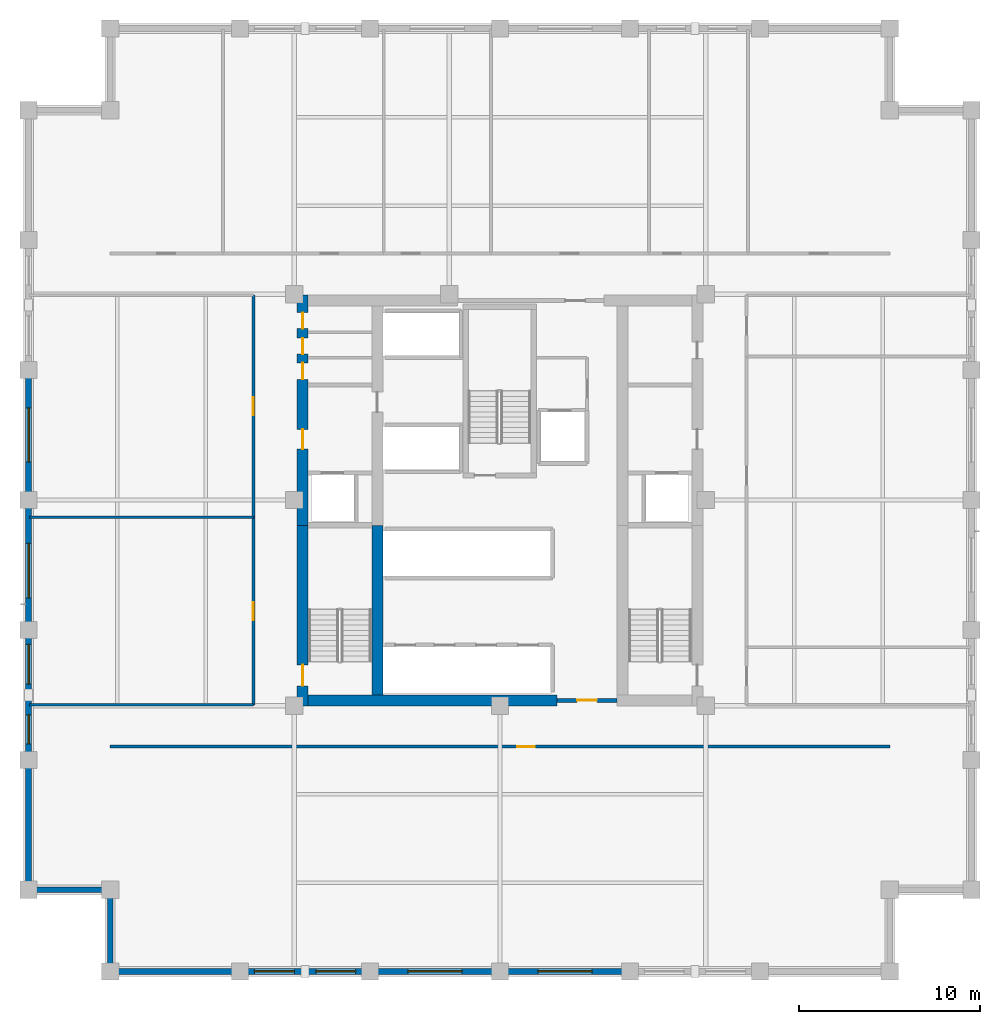
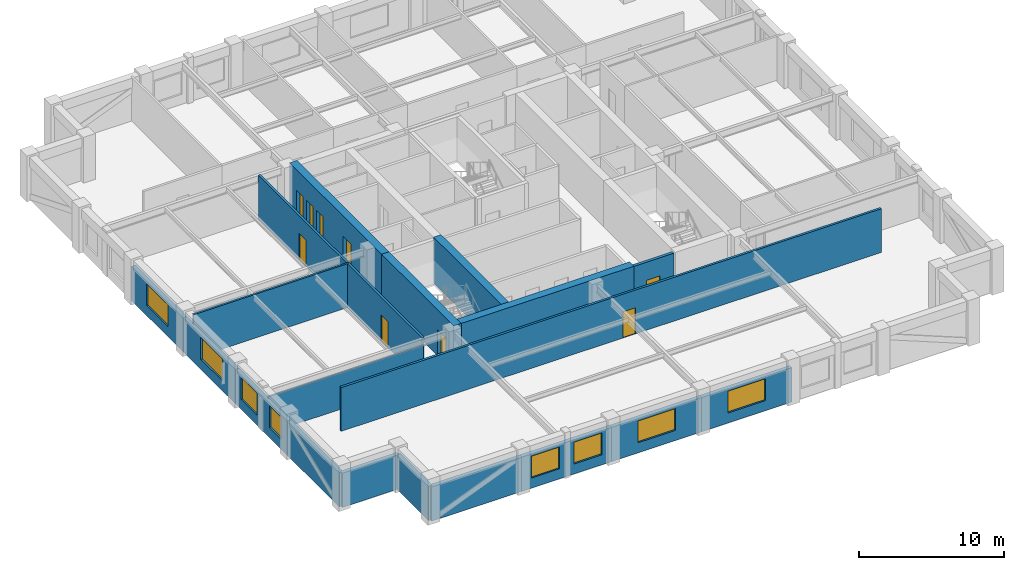
# One storey, part 5 of 9: 20 walls, 9 doors, 8 windows, 17 openings.
"""IFC4 building model written with IfcOpenShell, lengths in metres."""

from ifc_helpers import new_model, si_unit, direction, frame, frame_2d, origin, place, context, subcontext, project, spatial, rectangle, extrude, material, layer, layer_set, type_object, element, fill, save


model = new_model("IFC4")

# Units and contexts
model_context = context("Model", 3, precision=1e-05, world=origin(), true_north=direction((0.0, 1.0)))
body_context = subcontext(model_context, "Body", "Model", "MODEL_VIEW")
ifc_project = project(units=[si_unit("LENGTHUNIT", "METRE"), si_unit("AREAUNIT", "SQUARE_METRE"), si_unit("VOLUMEUNIT", "CUBIC_METRE"), si_unit("PLANEANGLEUNIT", "RADIAN"), si_unit("MASSUNIT", "GRAM", prefix="KILO")], contexts=[model_context])

# Site, building, storey
site_placement = place(None, origin())
site = spatial("IfcSite", under=ifc_project, at=site_placement, CompositionType="ELEMENT")
building_placement = place(site_placement, origin())
building = spatial("IfcBuilding", under=site, at=building_placement, Name="Nhamokura Convention Tower", CompositionType="ELEMENT")
storey_placement = place(building_placement, frame((0.0, 0.0, 118.300048828125)))
storey = spatial("IfcBuildingStorey", under=building, at=storey_placement, Name="L28", CompositionType="ELEMENT", Elevation=118.300048828125)

# Wall
ifc_material_1 = material(Name="Bronze-pigmented precast concrete C45/55", Category="concrete")
ifc_layer_1 = layer(ifc_material_1, 0.320068359375)
ifc_layer_set_1 = layer_set([ifc_layer_1], Name="BronzePrecastSpandrel_320")
wall_type_1 = type_object("IfcWallType", Name="BronzePrecastSpandrel_320", PredefinedType="USERDEFINED", material=ifc_layer_set_1)
wall_1_placement = place(storey_placement, frame((17.666748046875, 6.0, 0.0), z_axis=(0.0, 0.0, 1.0), x_axis=(-1.0, 0.0, 0.0)))
element("IfcWall", 1, at=wall_1_placement, inside=storey, type_object=wall_type_1, Name="L28 Braced-Bay Precast Wall SOUTH 0", ObjectType="SPANDREL_WALL", PredefinedType="USERDEFINED", context=body_context, shape_type="SweptSolid", body=[
    extrude(rectangle(XDim=7.166748046875, YDim=0.320068359375, at=frame_2d((3.58349609375, 0.0))), origin(), (0.0, 0.0, 1.0), 2.885009765625),
])

# Wall, openings, windows
wall_2_placement = place(storey_placement, frame((24.833251953125, 6.0, 0.0), z_axis=(0.0, 0.0, 1.0), x_axis=(-1.0, 0.0, 0.0)))
wall_2 = element("IfcWall", 2, at=wall_2_placement, inside=storey, type_object=wall_type_1, Name="L28 Masonry-Frame Wall SOUTH 1", ObjectType="SPANDREL_WALL", PredefinedType="USERDEFINED", context=body_context, shape_type="SweptSolid", body=[
    extrude(rectangle(XDim=7.16650390625, YDim=0.320068359375, at=frame_2d((3.583251953125, 0.0))), origin(), (0.0, 0.0, 1.0), 2.885009765625),
])
opening_1_placement = place(wall_2_placement, frame((0.791748046875, 0.0, 0.85009765625)))
opening_1 = element("IfcOpeningElement", 3, at=opening_1_placement, cuts=wall_2, Name="Opening W-06", PredefinedType="OPENING", context=body_context, shape_type="SweptSolid", body=[
    extrude(rectangle(XDim=2.199951171875, YDim=1.8349609375, at=frame_2d((1.10009765625, 0.91748046875))), frame((0.0, 0.169921875, 0.0), z_axis=(0.0, -1.0, 0.0), x_axis=(1.0, 0.0, 0.0)), (0.0, 0.0, 1.0), 0.340087890625),
])
opening_2_placement = place(wall_2_placement, frame((4.175048828125, 0.0, 0.85009765625)))
opening_2 = element("IfcOpeningElement", 4, at=opening_2_placement, cuts=wall_2, Name="Opening W-06", PredefinedType="OPENING", context=body_context, shape_type="SweptSolid", body=[
    extrude(rectangle(XDim=2.199951171875, YDim=1.8349609375, at=frame_2d((1.10009765625, 0.91748046875))), frame((0.0, 0.169921875, 0.0), z_axis=(0.0, -1.0, 0.0), x_axis=(1.0, 0.0, 0.0)), (0.0, 0.0, 1.0), 0.340087890625),
])
ifc_material_2 = material(Name="Solar-control bronze low-E double glass", Category="glass")
window_type_1 = type_object("IfcWindowType", Name="OfficeModuleWindow_Z2_2200", PartitioningType="SINGLE_PANEL", PredefinedType="WINDOW", material=ifc_material_2)
window_1_placement = place(opening_1_placement, origin())
window_1 = element("IfcWindow", 5, at=window_1_placement, inside=storey, type_object=window_type_1, Name="L28 Facade Window SOUTH 1-1", OverallHeight=1.8349609375, OverallWidth=2.199951171875, PartitioningType="SINGLE_PANEL", PredefinedType="WINDOW", context=body_context, shape_type="SweptSolid", body=[
    extrude(rectangle(XDim=2.199951171875, YDim=1.8349609375, at=frame_2d((1.10009765625, 0.91748046875))), frame((0.0, 0.030029296875, 0.0), z_axis=(0.0, -1.0, 0.0), x_axis=(1.0, 0.0, 0.0)), (0.0, 0.0, 1.0), 0.06005859375),
])
fill(opening_1, window_1)
window_2_placement = place(opening_2_placement, origin())
window_2 = element("IfcWindow", 6, at=window_2_placement, inside=storey, type_object=window_type_1, Name="L28 Facade Window SOUTH 1-2", OverallHeight=1.8349609375, OverallWidth=2.199951171875, PartitioningType="SINGLE_PANEL", PredefinedType="WINDOW", context=body_context, shape_type="SweptSolid", body=[
    extrude(rectangle(XDim=2.199951171875, YDim=1.8349609375, at=frame_2d((1.10009765625, 0.91748046875))), frame((0.0, 0.030029296875, 0.0), z_axis=(0.0, -1.0, 0.0), x_axis=(1.0, 0.0, 0.0)), (0.0, 0.0, 1.0), 0.06005859375),
])
fill(opening_2, window_2)

# Wall, opening, window
wall_3_placement = place(storey_placement, frame((32.0, 6.0, 0.0), z_axis=(0.0, 0.0, 1.0), x_axis=(-1.0, 0.0, 0.0)))
wall_3 = element("IfcWall", 7, at=wall_3_placement, inside=storey, type_object=wall_type_1, Name="L28 Masonry-Frame Wall SOUTH 2", ObjectType="SPANDREL_WALL", PredefinedType="USERDEFINED", context=body_context, shape_type="SweptSolid", body=[
    extrude(rectangle(XDim=7.166748046875, YDim=0.320068359375, at=frame_2d((3.58349609375, 0.0))), origin(), (0.0, 0.0, 1.0), 2.885009765625),
])
opening_3_placement = place(wall_3_placement, frame((2.083251953125, 0.0, 0.85009765625)))
opening_3 = element("IfcOpeningElement", 8, at=opening_3_placement, cuts=wall_3, Name="Opening W-05", PredefinedType="OPENING", context=body_context, shape_type="SweptSolid", body=[
    extrude(rectangle(XDim=3.0, YDim=1.8349609375, at=frame_2d((1.5, 0.91748046875))), frame((0.0, 0.169921875, 0.0), z_axis=(0.0, -1.0, 0.0), x_axis=(1.0, 0.0, 0.0)), (0.0, 0.0, 1.0), 0.340087890625),
])
ifc_material_3 = material(Name="Solar-control bronze low-E double glass", Category="glass")
window_type_2 = type_object("IfcWindowType", Name="OfficeModuleWindow_Z2_3000", PartitioningType="DOUBLE_PANEL_VERTICAL", PredefinedType="WINDOW", material=ifc_material_3)
window_3_placement = place(opening_3_placement, origin())
window_3 = element("IfcWindow", 9, at=window_3_placement, inside=storey, type_object=window_type_2, Name="L28 Facade Window SOUTH 2", OverallHeight=1.8349609375, OverallWidth=3.0, PartitioningType="SINGLE_PANEL", PredefinedType="WINDOW", context=body_context, shape_type="SweptSolid", body=[
    extrude(rectangle(XDim=3.0, YDim=1.8349609375, at=frame_2d((1.5, 0.91748046875))), frame((0.0, 0.030029296875, 0.0), z_axis=(0.0, -1.0, 0.0), x_axis=(1.0, 0.0, 0.0)), (0.0, 0.0, 1.0), 0.06005859375),
])
fill(opening_3, window_3)

wall_4_placement = place(storey_placement, frame((39.166748046875, 6.0, 0.0), z_axis=(0.0, 0.0, 1.0), x_axis=(-1.0, 0.0, 0.0)))
wall_4 = element("IfcWall", 10, at=wall_4_placement, inside=storey, type_object=wall_type_1, Name="L28 Masonry-Frame Wall SOUTH 3", ObjectType="SPANDREL_WALL", PredefinedType="USERDEFINED", context=body_context, shape_type="SweptSolid", body=[
    extrude(rectangle(XDim=7.166748046875, YDim=0.320068359375, at=frame_2d((3.58349609375, 0.0))), origin(), (0.0, 0.0, 1.0), 2.885009765625),
])
opening_4_placement = place(wall_4_placement, frame((2.083251953125, 0.0, 0.85009765625)))
opening_4 = element("IfcOpeningElement", 11, at=opening_4_placement, cuts=wall_4, Name="Opening W-05", PredefinedType="OPENING", context=body_context, shape_type="SweptSolid", body=[
    extrude(rectangle(XDim=3.0, YDim=1.8349609375, at=frame_2d((1.5, 0.91748046875))), frame((0.0, 0.169921875, 0.0), z_axis=(0.0, -1.0, 0.0), x_axis=(1.0, 0.0, 0.0)), (0.0, 0.0, 1.0), 0.340087890625),
])
window_4_placement = place(opening_4_placement, origin())
window_4 = element("IfcWindow", 12, at=window_4_placement, inside=storey, type_object=window_type_2, Name="L28 Facade Window SOUTH 3", OverallHeight=1.8349609375, OverallWidth=3.0, PartitioningType="SINGLE_PANEL", PredefinedType="WINDOW", context=body_context, shape_type="SweptSolid", body=[
    extrude(rectangle(XDim=3.0, YDim=1.8349609375, at=frame_2d((1.5, 0.91748046875))), frame((0.0, 0.030029296875, 0.0), z_axis=(0.0, -1.0, 0.0), x_axis=(1.0, 0.0, 0.0)), (0.0, 0.0, 1.0), 0.06005859375),
])
fill(opening_4, window_4)

# Wall
wall_5_placement = place(storey_placement, frame((6.0, 10.5, 0.0), z_axis=(0.0, 0.0, 1.0), x_axis=(0.0, 1.0, 0.0)))
element("IfcWall", 13, at=wall_5_placement, inside=storey, type_object=wall_type_1, Name="L28 Braced-Bay Precast Wall WEST 0", ObjectType="SPANDREL_WALL", PredefinedType="USERDEFINED", context=body_context, shape_type="SweptSolid", body=[
    extrude(rectangle(XDim=7.166748046875, YDim=0.320068359375, at=frame_2d((3.58349609375, 0.0))), origin(), (0.0, 0.0, 1.0), 2.885009765625),
])

# Wall, openings, windows
wall_6_placement = place(storey_placement, frame((6.0, 17.666748046875, 0.0), z_axis=(0.0, 0.0, 1.0), x_axis=(0.0, 1.0, 0.0)))
wall_6 = element("IfcWall", 14, at=wall_6_placement, inside=storey, type_object=wall_type_1, Name="L28 Masonry-Frame Wall WEST 1", ObjectType="SPANDREL_WALL", PredefinedType="USERDEFINED", context=body_context, shape_type="SweptSolid", body=[
    extrude(rectangle(XDim=7.16650390625, YDim=0.320068359375, at=frame_2d((3.583251953125, 0.0))), origin(), (0.0, 0.0, 1.0), 2.885009765625),
])
opening_5_placement = place(wall_6_placement, frame((0.879150390625, 0.0, 0.85009765625)))
opening_5 = element("IfcOpeningElement", 15, at=opening_5_placement, cuts=wall_6, Name="Opening W-11", PredefinedType="OPENING", context=body_context, shape_type="SweptSolid", body=[
    extrude(rectangle(XDim=1.60009765625, YDim=1.8349609375, at=frame_2d((0.800048828125, 0.91748046875))), frame((0.0, 0.169921875, 0.0), z_axis=(0.0, -1.0, 0.0), x_axis=(1.0, 0.0, 0.0)), (0.0, 0.0, 1.0), 0.340087890625),
])
opening_6_placement = place(wall_6_placement, frame((4.175048828125, 0.0, 0.85009765625)))
opening_6 = element("IfcOpeningElement", 16, at=opening_6_placement, cuts=wall_6, Name="Opening W-06", PredefinedType="OPENING", context=body_context, shape_type="SweptSolid", body=[
    extrude(rectangle(XDim=2.199951171875, YDim=1.8349609375, at=frame_2d((1.10009765625, 0.91748046875))), frame((0.0, 0.169921875, 0.0), z_axis=(0.0, -1.0, 0.0), x_axis=(1.0, 0.0, 0.0)), (0.0, 0.0, 1.0), 0.340087890625),
])
ifc_material_4 = material(Name="Solar-control bronze low-E double glass", Category="glass")
window_type_3 = type_object("IfcWindowType", Name="NotchCornerWindow_1600", PartitioningType="SINGLE_PANEL", PredefinedType="WINDOW", material=ifc_material_4)
window_5_placement = place(opening_5_placement, origin())
window_5 = element("IfcWindow", 17, at=window_5_placement, inside=storey, type_object=window_type_3, Name="L28 Facade Window WEST 1-1", OverallHeight=1.8349609375, OverallWidth=1.60009765625, PartitioningType="SINGLE_PANEL", PredefinedType="WINDOW", context=body_context, shape_type="SweptSolid", body=[
    extrude(rectangle(XDim=1.60009765625, YDim=1.8349609375, at=frame_2d((0.800048828125, 0.91748046875))), frame((0.0, 0.030029296875, 0.0), z_axis=(0.0, -1.0, 0.0), x_axis=(1.0, 0.0, 0.0)), (0.0, 0.0, 1.0), 0.06005859375),
])
fill(opening_5, window_5)
window_6_placement = place(opening_6_placement, origin())
window_6 = element("IfcWindow", 18, at=window_6_placement, inside=storey, type_object=window_type_1, Name="L28 Facade Window WEST 1-2", OverallHeight=1.8349609375, OverallWidth=2.199951171875, PartitioningType="SINGLE_PANEL", PredefinedType="WINDOW", context=body_context, shape_type="SweptSolid", body=[
    extrude(rectangle(XDim=2.199951171875, YDim=1.8349609375, at=frame_2d((1.10009765625, 0.91748046875))), frame((0.0, 0.030029296875, 0.0), z_axis=(0.0, -1.0, 0.0), x_axis=(1.0, 0.0, 0.0)), (0.0, 0.0, 1.0), 0.06005859375),
])
fill(opening_6, window_6)

# Wall, opening, window
wall_7_placement = place(storey_placement, frame((6.0, 24.833251953125, 0.0), z_axis=(0.0, 0.0, 1.0), x_axis=(0.0, 1.0, 0.0)))
wall_7 = element("IfcWall", 19, at=wall_7_placement, inside=storey, type_object=wall_type_1, Name="L28 Masonry-Frame Wall WEST 2", ObjectType="SPANDREL_WALL", PredefinedType="USERDEFINED", context=body_context, shape_type="SweptSolid", body=[
    extrude(rectangle(XDim=7.166748046875, YDim=0.320068359375, at=frame_2d((3.58349609375, 0.0))), origin(), (0.0, 0.0, 1.0), 2.885009765625),
])
opening_7_placement = place(wall_7_placement, frame((1.770751953125, 0.0, 0.85009765625)))
opening_7 = element("IfcOpeningElement", 20, at=opening_7_placement, cuts=wall_7, Name="Opening W-05", PredefinedType="OPENING", context=body_context, shape_type="SweptSolid", body=[
    extrude(rectangle(XDim=3.0, YDim=1.8349609375, at=frame_2d((1.5, 0.91748046875))), frame((0.0, 0.169921875, 0.0), z_axis=(0.0, -1.0, 0.0), x_axis=(1.0, 0.0, 0.0)), (0.0, 0.0, 1.0), 0.340087890625),
])
window_7_placement = place(opening_7_placement, origin())
window_7 = element("IfcWindow", 21, at=window_7_placement, inside=storey, type_object=window_type_2, Name="L28 Facade Window WEST 2", OverallHeight=1.8349609375, OverallWidth=3.0, PartitioningType="SINGLE_PANEL", PredefinedType="WINDOW", context=body_context, shape_type="SweptSolid", body=[
    extrude(rectangle(XDim=3.0, YDim=1.8349609375, at=frame_2d((1.5, 0.91748046875))), frame((0.0, 0.030029296875, 0.0), z_axis=(0.0, -1.0, 0.0), x_axis=(1.0, 0.0, 0.0)), (0.0, 0.0, 1.0), 0.06005859375),
])
fill(opening_7, window_7)

wall_8_placement = place(storey_placement, frame((6.0, 32.0, 0.0), z_axis=(0.0, 0.0, 1.0), x_axis=(0.0, 1.0, 0.0)))
wall_8 = element("IfcWall", 22, at=wall_8_placement, inside=storey, type_object=wall_type_1, Name="L28 Masonry-Frame Wall WEST 3", ObjectType="SPANDREL_WALL", PredefinedType="USERDEFINED", context=body_context, shape_type="SweptSolid", body=[
    extrude(rectangle(XDim=7.166748046875, YDim=0.320068359375, at=frame_2d((3.58349609375, 0.0))), origin(), (0.0, 0.0, 1.0), 2.885009765625),
])
opening_8_placement = place(wall_8_placement, frame((2.083251953125, 0.0, 0.85009765625)))
opening_8 = element("IfcOpeningElement", 23, at=opening_8_placement, cuts=wall_8, Name="Opening W-05", PredefinedType="OPENING", context=body_context, shape_type="SweptSolid", body=[
    extrude(rectangle(XDim=3.0, YDim=1.8349609375, at=frame_2d((1.5, 0.91748046875))), frame((0.0, 0.169921875, 0.0), z_axis=(0.0, -1.0, 0.0), x_axis=(1.0, 0.0, 0.0)), (0.0, 0.0, 1.0), 0.340087890625),
])
window_8_placement = place(opening_8_placement, origin())
window_8 = element("IfcWindow", 24, at=window_8_placement, inside=storey, type_object=window_type_2, Name="L28 Facade Window WEST 3", OverallHeight=1.8349609375, OverallWidth=3.0, PartitioningType="SINGLE_PANEL", PredefinedType="WINDOW", context=body_context, shape_type="SweptSolid", body=[
    extrude(rectangle(XDim=3.0, YDim=1.8349609375, at=frame_2d((1.5, 0.91748046875))), frame((0.0, 0.030029296875, 0.0), z_axis=(0.0, -1.0, 0.0), x_axis=(1.0, 0.0, 0.0)), (0.0, 0.0, 1.0), 0.06005859375),
])
fill(opening_8, window_8)

# Walls
for number, where, z_axis, x_axis, name in (
    (25, (10.5, 6.0, 0.0), (0.0, 0.0, 1.0), (0.0, 1.0, 0.0), "L28 Notched Corner Wall SW1"),
    (26, (10.5, 10.5, 0.0), (0.0, 0.0, 1.0), (-1.0, 0.0, 0.0), "L28 Notched Corner Wall SW2"),
):
    element("IfcWall", number, at=place(storey_placement, frame(where, z_axis=z_axis, x_axis=x_axis)), inside=storey, type_object=wall_type_1, Name=name, ObjectType="SPANDREL_WALL", PredefinedType="USERDEFINED", context=body_context, shape_type="SweptSolid", body=[
        extrude(rectangle(XDim=4.5, YDim=0.320068359375, at=frame_2d((2.25, 0.0))), origin(), (0.0, 0.0, 1.0), 2.885009765625),
    ])

# Wall, opening, door
ifc_material_5 = material(Name="Concrete C60/75", Category="concrete")
ifc_layer_2 = layer(ifc_material_5, 0.60009765625)
ifc_layer_set_2 = layer_set([ifc_layer_2], Name="CoreShearWall_600")
wall_type_2 = type_object("IfcWallType", Name="CoreShearWall_600", PredefinedType="SHEAR", material=ifc_layer_set_2)
wall_9_placement = place(storey_placement, frame((21.110107421875, 20.64990234375, 0.0), z_axis=(0.0, 0.0, 1.0), x_axis=(0.0, 1.0, 0.0)))
wall_9 = element("IfcWall", 27, at=wall_9_placement, inside=storey, type_object=wall_type_2, Name="L28 Core Shear Wall CW-WS", PredefinedType="SHEAR", context=body_context, shape_type="SweptSolid", body=[
    extrude(rectangle(XDim=9.9501953125, YDim=0.60009765625, at=frame_2d((4.97509765625, 0.0))), origin(), (0.0, 0.0, 1.0), 3.849853515625),
])
opening_9_placement = place(wall_9_placement, frame((1.10009765625, 0.0, 0.0)))
opening_9 = element("IfcOpeningElement", 28, at=opening_9_placement, cuts=wall_9, Name="Opening D-04", PredefinedType="OPENING", context=body_context, shape_type="SweptSolid", body=[
    extrude(rectangle(XDim=1.14990234375, YDim=2.14990234375, at=frame_2d((0.574951171875, 1.074951171875))), frame((0.0, 0.31005859375, 0.0), z_axis=(0.0, -1.0, 0.0), x_axis=(1.0, 0.0, 0.0)), (0.0, 0.0, 1.0), 0.6201171875),
])
ifc_material_6 = material(Name="Fire-rated steel door", Category="steel")
door_type_1 = type_object("IfcDoorType", Name="StairSmokeDoor_1150", OperationType="NOTDEFINED", PredefinedType="DOOR", material=ifc_material_6)
door_1_placement = place(opening_9_placement, origin())
door_1 = element("IfcDoor", 29, at=door_1_placement, inside=storey, type_object=door_type_1, Name="L28 Core Door INT-L28-D-ST01", OperationType="SINGLE_SWING_LEFT", OverallHeight=2.14990234375, OverallWidth=1.14990234375, PredefinedType="DOOR", context=body_context, shape_type="SweptSolid", body=[
    extrude(rectangle(XDim=1.14990234375, YDim=2.14990234375, at=frame_2d((0.574951171875, 1.074951171875))), frame((0.0, 0.02490234375, 0.0), z_axis=(0.0, -1.0, 0.0), x_axis=(1.0, 0.0, 0.0)), (0.0, 0.0, 1.0), 0.050048828125),
])
fill(opening_9, door_1)

# Wall, openings, doors
wall_10_placement = place(storey_placement, frame((21.110107421875, 30.60009765625, 0.0), z_axis=(0.0, 0.0, 1.0), x_axis=(0.0, 1.0, 0.0)))
wall_10 = element("IfcWall", 30, at=wall_10_placement, inside=storey, type_object=wall_type_2, Name="L28 Core Shear Wall CW-WN", PredefinedType="SHEAR", context=body_context, shape_type="SweptSolid", body=[
    extrude(rectangle(XDim=12.699951171875, YDim=0.60009765625, at=frame_2d((6.35009765625, 0.0))), origin(), (0.0, 0.0, 1.0), 3.849853515625),
])
opening_10_placement = place(wall_10_placement, frame((4.199951171875, 0.0, 0.0)))
opening_10 = element("IfcOpeningElement", 31, at=opening_10_placement, cuts=wall_10, Name="Opening D-05", PredefinedType="OPENING", context=body_context, shape_type="SweptSolid", body=[
    extrude(rectangle(XDim=1.10009765625, YDim=2.14990234375, at=frame_2d((0.550048828125, 1.074951171875))), frame((0.0, 0.31005859375, 0.0), z_axis=(0.0, -1.0, 0.0), x_axis=(1.0, 0.0, 0.0)), (0.0, 0.0, 1.0), 0.6201171875),
])
opening_11_placement = place(wall_10_placement, frame((8.050048828125, 0.0, 0.0)))
opening_11 = element("IfcOpeningElement", 32, at=opening_11_placement, cuts=wall_10, Name="Opening D-10", PredefinedType="OPENING", context=body_context, shape_type="SweptSolid", body=[
    extrude(rectangle(XDim=0.919921875, YDim=2.10009765625, at=frame_2d((0.4599609375, 1.050048828125))), frame((0.0, 0.31005859375, 0.0), z_axis=(0.0, -1.0, 0.0), x_axis=(1.0, 0.0, 0.0)), (0.0, 0.0, 1.0), 0.6201171875),
])
opening_12_placement = place(wall_10_placement, frame((9.449951171875, 0.0, 0.0)))
opening_12 = element("IfcOpeningElement", 33, at=opening_12_placement, cuts=wall_10, Name="Opening D-11", PredefinedType="OPENING", context=body_context, shape_type="SweptSolid", body=[
    extrude(rectangle(XDim=0.8798828125, YDim=2.10009765625, at=frame_2d((0.43994140625, 1.050048828125))), frame((0.0, 0.31005859375, 0.0), z_axis=(0.0, -1.0, 0.0), x_axis=(1.0, 0.0, 0.0)), (0.0, 0.0, 1.0), 0.6201171875),
])
opening_13_placement = place(wall_10_placement, frame((10.85009765625, 0.0, 0.0)))
opening_13 = element("IfcOpeningElement", 34, at=opening_13_placement, cuts=wall_10, Name="Opening D-11", PredefinedType="OPENING", context=body_context, shape_type="SweptSolid", body=[
    extrude(rectangle(XDim=0.8798828125, YDim=2.10009765625, at=frame_2d((0.43994140625, 1.050048828125))), frame((0.0, 0.31005859375, 0.0), z_axis=(0.0, -1.0, 0.0), x_axis=(1.0, 0.0, 0.0)), (0.0, 0.0, 1.0), 0.6201171875),
])
ifc_material_7 = material(Name="Solid oak hardwood", Category="wood")
door_type_2 = type_object("IfcDoorType", Name="AccessibleWCDoor_920", OperationType="NOTDEFINED", PredefinedType="DOOR", material=ifc_material_7)
door_2_placement = place(opening_11_placement, origin())
door_2 = element("IfcDoor", 35, at=door_2_placement, inside=storey, type_object=door_type_2, Name="L28 Core Door INT-L28-D-AWC", OperationType="SINGLE_SWING_LEFT", OverallHeight=2.10009765625, OverallWidth=0.919921875, PredefinedType="DOOR", context=body_context, shape_type="SweptSolid", body=[
    extrude(rectangle(XDim=0.919921875, YDim=2.10009765625, at=frame_2d((0.4599609375, 1.050048828125))), frame((0.0, 0.02490234375, 0.0), z_axis=(0.0, -1.0, 0.0), x_axis=(1.0, 0.0, 0.0)), (0.0, 0.0, 1.0), 0.050048828125),
])
fill(opening_11, door_2)
ifc_material_8 = material(Name="Solid oak hardwood", Category="wood")
door_type_3 = type_object("IfcDoorType", Name="BathroomDoor_880", OperationType="NOTDEFINED", PredefinedType="DOOR", material=ifc_material_8)
door_3_placement = place(opening_12_placement, origin())
door_3 = element("IfcDoor", 36, at=door_3_placement, inside=storey, type_object=door_type_3, Name="L28 Core Door INT-L28-D-CLN", OperationType="SINGLE_SWING_RIGHT", OverallHeight=2.10009765625, OverallWidth=0.8798828125, PredefinedType="DOOR", context=body_context, shape_type="SweptSolid", body=[
    extrude(rectangle(XDim=0.8798828125, YDim=2.10009765625, at=frame_2d((0.43994140625, 1.050048828125))), frame((0.0, 0.02490234375, 0.0), z_axis=(0.0, -1.0, 0.0), x_axis=(1.0, 0.0, 0.0)), (0.0, 0.0, 1.0), 0.050048828125),
])
fill(opening_12, door_3)
door_4_placement = place(opening_13_placement, origin())
door_4 = element("IfcDoor", 37, at=door_4_placement, inside=storey, type_object=door_type_3, Name="L28 Core Door INT-L28-D-PNT", OperationType="SINGLE_SWING_LEFT", OverallHeight=2.10009765625, OverallWidth=0.8798828125, PredefinedType="DOOR", context=body_context, shape_type="SweptSolid", body=[
    extrude(rectangle(XDim=0.8798828125, YDim=2.10009765625, at=frame_2d((0.43994140625, 1.050048828125))), frame((0.0, 0.02490234375, 0.0), z_axis=(0.0, -1.0, 0.0), x_axis=(1.0, 0.0, 0.0)), (0.0, 0.0, 1.0), 0.050048828125),
])
fill(opening_13, door_4)
ifc_material_9 = material(Name="Fire-rated steel door", Category="steel")
door_type_4 = type_object("IfcDoorType", Name="FireLobbyDoor_1100", OperationType="NOTDEFINED", PredefinedType="DOOR", material=ifc_material_9)
door_5_placement = place(opening_10_placement, origin())
door_5 = element("IfcDoor", 38, at=door_5_placement, inside=storey, type_object=door_type_4, Name="L28 Core Door INT-L28-D-FFLW", OperationType="SINGLE_SWING_RIGHT", OverallHeight=2.14990234375, OverallWidth=1.10009765625, PredefinedType="DOOR", context=body_context, shape_type="SweptSolid", body=[
    extrude(rectangle(XDim=1.10009765625, YDim=2.14990234375, at=frame_2d((0.550048828125, 1.074951171875))), frame((0.0, 0.02490234375, 0.0), z_axis=(0.0, -1.0, 0.0), x_axis=(1.0, 0.0, 0.0)), (0.0, 0.0, 1.0), 0.050048828125),
])
fill(opening_10, door_5)

# Walls
wall_11_placement = place(storey_placement, frame((21.409912109375, 20.949951171875, 0.0), z_axis=(0.0, 0.0, 1.0), x_axis=(1.0, 0.0, 0.0)))
element("IfcWall", 39, at=wall_11_placement, inside=storey, type_object=wall_type_2, Name="L28 Core Shear Wall CW-S1", PredefinedType="SHEAR", context=body_context, shape_type="SweptSolid", body=[
    extrude(rectangle(XDim=13.739990234375, YDim=0.60009765625, at=frame_2d((6.8701171875, 0.0))), origin(), (0.0, 0.0, 1.0), 3.849853515625),
])
wall_12_placement = place(storey_placement, frame((25.239990234375, 21.25, 0.0), z_axis=(0.0, 0.0, 1.0), x_axis=(0.0, 1.0, 0.0)))
element("IfcWall", 40, at=wall_12_placement, inside=storey, type_object=wall_type_2, Name="L28 Core Shear Wall CW-IWS", PredefinedType="SHEAR", context=body_context, shape_type="SweptSolid", body=[
    extrude(rectangle(XDim=9.35009765625, YDim=0.60009765625, at=frame_2d((4.675048828125, 0.0))), origin(), (0.0, 0.0, 1.0), 3.849853515625),
])

# Wall, opening, door
ifc_material_10 = material(Name="Fire-rated gypsum and masonry partition", Category="masonry")
ifc_layer_3 = layer(ifc_material_10, 0.179931640625)
ifc_layer_set_3 = layer_set([ifc_layer_3], Name="CorridorRatedWall_180")
wall_type_3 = type_object("IfcWallType", Name="CorridorRatedWall_180", PredefinedType="STANDARD", material=ifc_layer_set_3)
wall_13_placement = place(storey_placement, frame((10.5, 18.39990234375, 0.0), z_axis=(0.0, 0.0, 1.0), x_axis=(1.0, 0.0, 0.0)))
wall_13 = element("IfcWall", 41, at=wall_13_placement, inside=storey, type_object=wall_type_3, Name="L28 Wall INT-L28-CW-S00", PredefinedType="STANDARD", context=body_context, shape_type="SweptSolid", body=[
    extrude(rectangle(XDim=43.0, YDim=0.179931640625, at=frame_2d((21.5, 0.0))), origin(), (0.0, 0.0, 1.0), 3.68505859375),
])
opening_14_placement = place(wall_13_placement, frame((22.449951171875, 0.0, 0.0)))
opening_14 = element("IfcOpeningElement", 42, at=opening_14_placement, cuts=wall_13, Name="Opening D-08", PredefinedType="OPENING", context=body_context, shape_type="SweptSolid", body=[
    extrude(rectangle(XDim=0.97998046875, YDim=2.199951171875, at=frame_2d((0.489990234375, 1.10009765625))), frame((0.0, 0.099853515625, 0.0), z_axis=(0.0, -1.0, 0.0), x_axis=(1.0, 0.0, 0.0)), (0.0, 0.0, 1.0), 0.199951171875),
])
ifc_material_11 = material(Name="Solid oak hardwood", Category="wood")
door_type_5 = type_object("IfcDoorType", Name="OfficeEntryDoor_980", OperationType="NOTDEFINED", PredefinedType="DOOR", material=ifc_material_11)
door_6_placement = place(opening_14_placement, origin())
door_6 = element("IfcDoor", 43, at=door_6_placement, inside=storey, type_object=door_type_5, Name="L28 Open Plan Office S01 Door", OperationType="SINGLE_SWING_LEFT", OverallHeight=2.199951171875, OverallWidth=0.97998046875, PredefinedType="DOOR", context=body_context, shape_type="SweptSolid", body=[
    extrude(rectangle(XDim=0.97998046875, YDim=2.199951171875, at=frame_2d((0.489990234375, 1.10009765625))), frame((0.0, 0.02490234375, 0.0), z_axis=(0.0, -1.0, 0.0), x_axis=(1.0, 0.0, 0.0)), (0.0, 0.0, 1.0), 0.050048828125),
])
fill(opening_14, door_6)

wall_14_placement = place(storey_placement, frame((18.39990234375, 20.699951171875, 0.0), z_axis=(0.0, 0.0, 1.0), x_axis=(0.0, 1.0, 0.0)))
wall_14 = element("IfcWall", 44, at=wall_14_placement, inside=storey, type_object=wall_type_3, Name="L28 Wall INT-L28-CW-W00", PredefinedType="STANDARD", context=body_context, shape_type="SweptSolid", body=[
    extrude(rectangle(XDim=10.35009765625, YDim=0.179931640625, at=frame_2d((5.175048828125, 0.0))), origin(), (0.0, 0.0, 1.0), 3.68505859375),
])
opening_15_placement = place(wall_14_placement, frame((4.675048828125, 0.0, 0.0)))
opening_15 = element("IfcOpeningElement", 45, at=opening_15_placement, cuts=wall_14, Name="Opening D-08", PredefinedType="OPENING", context=body_context, shape_type="SweptSolid", body=[
    extrude(rectangle(XDim=0.97998046875, YDim=2.199951171875, at=frame_2d((0.489990234375, 1.10009765625))), frame((0.0, 0.099853515625, 0.0), z_axis=(0.0, -1.0, 0.0), x_axis=(1.0, 0.0, 0.0)), (0.0, 0.0, 1.0), 0.199951171875),
])
door_7_placement = place(opening_15_placement, origin())
door_7 = element("IfcDoor", 46, at=door_7_placement, inside=storey, type_object=door_type_5, Name="L28 Boardroom W01 Door", OperationType="SINGLE_SWING_LEFT", OverallHeight=2.199951171875, OverallWidth=0.97998046875, PredefinedType="DOOR", context=body_context, shape_type="SweptSolid", body=[
    extrude(rectangle(XDim=0.97998046875, YDim=2.199951171875, at=frame_2d((0.489990234375, 1.10009765625))), frame((0.0, 0.02490234375, 0.0), z_axis=(0.0, -1.0, 0.0), x_axis=(1.0, 0.0, 0.0)), (0.0, 0.0, 1.0), 0.050048828125),
])
fill(opening_15, door_7)

wall_15_placement = place(storey_placement, frame((18.39990234375, 31.050048828125, 0.0), z_axis=(0.0, 0.0, 1.0), x_axis=(0.0, 1.0, 0.0)))
wall_15 = element("IfcWall", 47, at=wall_15_placement, inside=storey, type_object=wall_type_3, Name="L28 Wall INT-L28-CW-W01", PredefinedType="STANDARD", context=body_context, shape_type="SweptSolid", body=[
    extrude(rectangle(XDim=12.25, YDim=0.179931640625, at=frame_2d((6.125, 0.0))), origin(), (0.0, 0.0, 1.0), 3.68505859375),
])
opening_16_placement = place(wall_15_placement, frame((5.625, 0.0, 0.0)))
opening_16 = element("IfcOpeningElement", 48, at=opening_16_placement, cuts=wall_15, Name="Opening D-08", PredefinedType="OPENING", context=body_context, shape_type="SweptSolid", body=[
    extrude(rectangle(XDim=0.97998046875, YDim=2.199951171875, at=frame_2d((0.489990234375, 1.10009765625))), frame((0.0, 0.099853515625, 0.0), z_axis=(0.0, -1.0, 0.0), x_axis=(1.0, 0.0, 0.0)), (0.0, 0.0, 1.0), 0.199951171875),
])
door_8_placement = place(opening_16_placement, origin())
door_8 = element("IfcDoor", 49, at=door_8_placement, inside=storey, type_object=door_type_5, Name="L28 Private Office W02 Door", OperationType="SINGLE_SWING_RIGHT", OverallHeight=2.199951171875, OverallWidth=0.97998046875, PredefinedType="DOOR", context=body_context, shape_type="SweptSolid", body=[
    extrude(rectangle(XDim=0.97998046875, YDim=2.199951171875, at=frame_2d((0.489990234375, 1.10009765625))), frame((0.0, 0.02490234375, 0.0), z_axis=(0.0, -1.0, 0.0), x_axis=(1.0, 0.0, 0.0)), (0.0, 0.0, 1.0), 0.050048828125),
])
fill(opening_16, door_8)

ifc_material_12 = material(Name="Autoclaved concrete blockwork", Category="masonry")
ifc_layer_4 = layer(ifc_material_12, 0.219970703125)
ifc_layer_set_4 = layer_set([ifc_layer_4], Name="FireLobbyWall_220")
wall_type_4 = type_object("IfcWallType", Name="FireLobbyWall_220", PredefinedType="STANDARD", material=ifc_layer_set_4)
wall_16_placement = place(storey_placement, frame((35.14990234375, 20.949951171875, 0.0), z_axis=(0.0, 0.0, 1.0), x_axis=(1.0, 0.0, 0.0)))
wall_16 = element("IfcWall", 50, at=wall_16_placement, inside=storey, type_object=wall_type_4, Name="L28 Wall INT-L28-SPORT-S", PredefinedType="STANDARD", context=body_context, shape_type="SweptSolid", body=[
    extrude(rectangle(XDim=3.300048828125, YDim=0.219970703125, at=frame_2d((1.64990234375, 0.0))), origin(), (0.0, 0.0, 1.0), 3.68505859375),
])
opening_17_placement = place(wall_16_placement, frame((1.10009765625, 0.0, 0.0)))
opening_17 = element("IfcOpeningElement", 51, at=opening_17_placement, cuts=wall_16, Name="Opening D-05", PredefinedType="OPENING", context=body_context, shape_type="SweptSolid", body=[
    extrude(rectangle(XDim=1.10009765625, YDim=2.14990234375, at=frame_2d((0.550048828125, 1.074951171875))), frame((0.0, 0.119873046875, 0.0), z_axis=(0.0, -1.0, 0.0), x_axis=(1.0, 0.0, 0.0)), (0.0, 0.0, 1.0), 0.239990234375),
])
door_9_placement = place(opening_17_placement, origin())
door_9 = element("IfcDoor", 52, at=door_9_placement, inside=storey, type_object=door_type_4, Name="L28 South Core Lobby Portal Door", OperationType="SINGLE_SWING_LEFT", OverallHeight=2.14990234375, OverallWidth=1.10009765625, PredefinedType="DOOR", context=body_context, shape_type="SweptSolid", body=[
    extrude(rectangle(XDim=1.10009765625, YDim=2.14990234375, at=frame_2d((0.550048828125, 1.074951171875))), frame((0.0, 0.02490234375, 0.0), z_axis=(0.0, -1.0, 0.0), x_axis=(1.0, 0.0, 0.0)), (0.0, 0.0, 1.0), 0.050048828125),
])
fill(opening_17, door_9)

# Walls
ifc_material_13 = material(Name="Acoustic gypsum stud partition", Category="masonry")
ifc_layer_5 = layer(ifc_material_13, 0.14990234375)
ifc_layer_set_5 = layer_set([ifc_layer_5], Name="InteriorPartition_150")
wall_type_5 = type_object("IfcWallType", Name="InteriorPartition_150", PredefinedType="STANDARD", material=ifc_layer_set_5)
wall_17_placement = place(storey_placement, frame((6.06005859375, 20.699951171875, 0.0), z_axis=(0.0, 0.0, 1.0), x_axis=(1.0, 0.0, 0.0)))
element("IfcWall", 53, at=wall_17_placement, inside=storey, type_object=wall_type_5, Name="L28 Wall INT-L28-RWB-W", PredefinedType="STANDARD", context=body_context, shape_type="SweptSolid", body=[
    extrude(rectangle(XDim=12.33984375, YDim=0.14990234375, at=frame_2d((6.169921875, 0.0))), origin(), (0.0, 0.0, 1.0), 3.06494140625),
])
wall_18_placement = place(storey_placement, frame((6.06005859375, 31.050048828125, 0.0), z_axis=(0.0, 0.0, 1.0), x_axis=(1.0, 0.0, 0.0)))
element("IfcWall", 54, at=wall_18_placement, inside=storey, type_object=wall_type_5, Name="L28 Wall INT-L28-RW-W01", PredefinedType="STANDARD", context=body_context, shape_type="SweptSolid", body=[
    extrude(rectangle(XDim=12.33984375, YDim=0.14990234375, at=frame_2d((6.169921875, 0.0))), origin(), (0.0, 0.0, 1.0), 3.68505859375),
])

save(model, "model.ifc")
